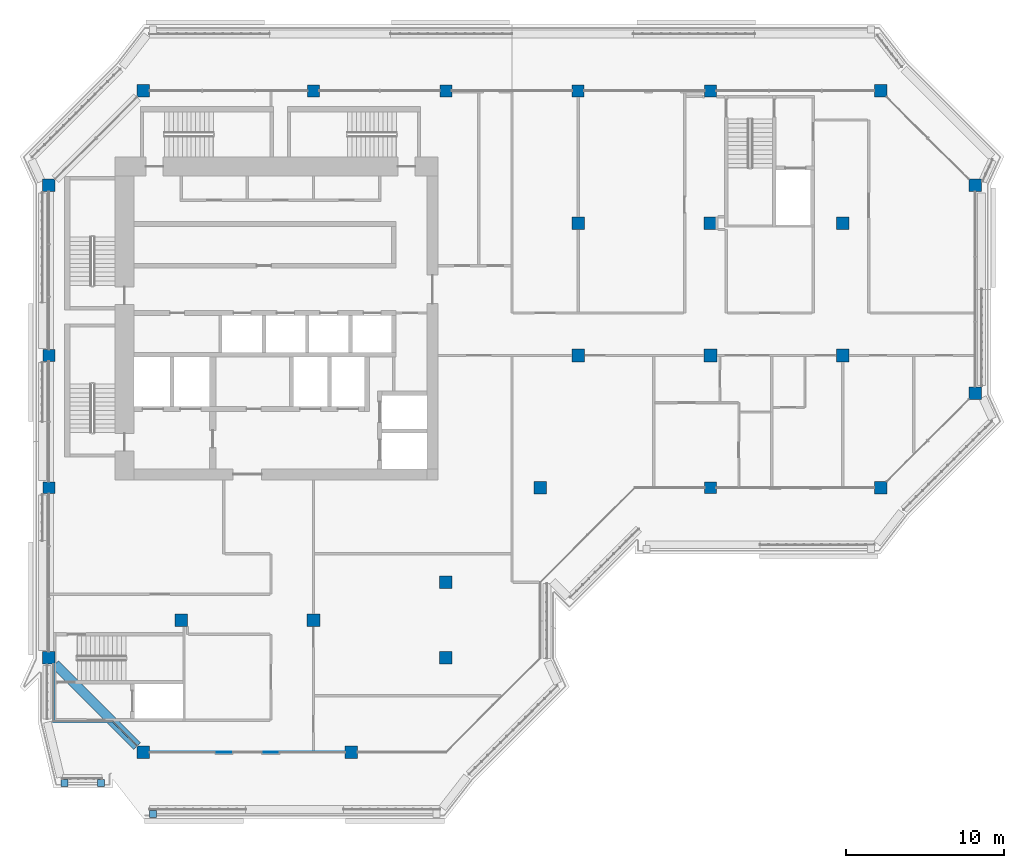
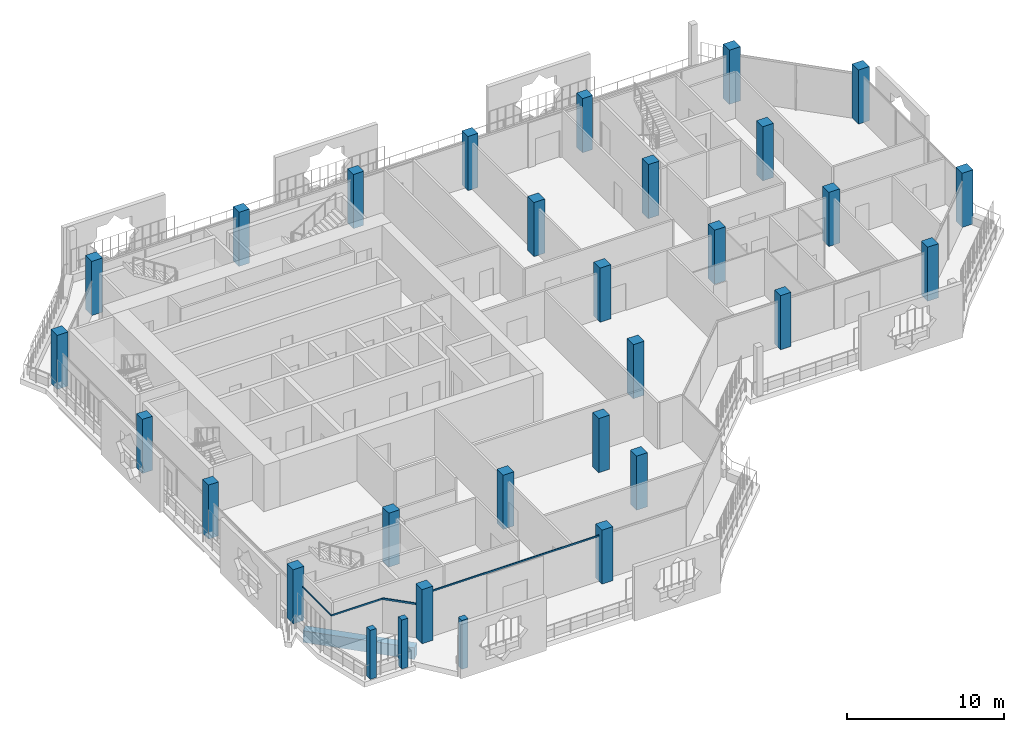
# One storey, part 1 of 21: 27 columns, 7 members, 1 beam, 5 elements without a shape of their own.
"""IFC4 building model written with IfcOpenShell, lengths in metres."""

from ifc_helpers import new_model, si_unit, direction, frame, origin, origin_2d, place, context, subcontext, project, spatial, rectangle, extrude, material, layer, layer_set, material_profile, profile_set, type_object, element, aggregate, save


model = new_model("IFC4")

# Units and contexts
model_context = context("Model", 3, precision=1e-05, world=origin(), true_north=direction((0.0, 1.0)))
body_context = subcontext(model_context, "Body", "Model", "MODEL_VIEW")
ifc_project = project(units=[si_unit("LENGTHUNIT", "METRE"), si_unit("AREAUNIT", "SQUARE_METRE"), si_unit("VOLUMEUNIT", "CUBIC_METRE"), si_unit("PLANEANGLEUNIT", "RADIAN"), si_unit("MASSUNIT", "GRAM", prefix="KILO")], contexts=[model_context])

# Site, building, storey
site_placement = place(None, origin())
site = spatial("IfcSite", under=ifc_project, at=site_placement, CompositionType="ELEMENT")
building_placement = place(site_placement, origin())
building = spatial("IfcBuilding", under=site, at=building_placement, Name="Kawkab Arch Medical Tower", CompositionType="ELEMENT")
storey_placement = place(building_placement, frame((0.0, 0.0, 315.39990234375)))
storey = spatial("IfcBuildingStorey", under=building, at=storey_placement, Name="L73", CompositionType="ELEMENT", Elevation=315.39990234375)

# Columns
ifc_material_1 = material(Name="Concrete C40/50", Category="concrete")
ifc_material_profile_1 = material_profile(ifc_material_1, rectangle(XDim=0.75, YDim=0.75, at=origin_2d()), Name="RC 750x750")
ifc_profile_set_1 = profile_set([ifc_material_profile_1], Name="Concrete C40/50")
column_type_1 = type_object("IfcColumnType", Name="RC 750x750 column C40/50", PredefinedType="COLUMN", material=ifc_profile_set_1)
for number, where, z_axis, x_axis, name in (
    (1, (16.800048828125, 0.0, 0.0), (0.0, 0.0, 1.0), (1.0, 0.0, 0.0), "Column RC 750x750"),
    (2, (25.199951171875, 0.0, 0.0), (0.0, 0.0, 1.0), (1.0, 0.0, 0.0), "Column RC 750x750"),
    (3, (33.60009765625, 0.0, 0.0), (0.0, 0.0, 1.0), (1.0, 0.0, 0.0), "Column RC 750x750"),
    (4, (42.0, 0.0, 0.0), (0.0, 0.0, 1.0), (1.0, 0.0, 0.0), "Column RC 750x750"),
    (5, (0.0, -16.800048828125, 0.0), (0.0, 0.0, 1.0), (1.0, 0.0, 0.0), "Column RC 750x750"),
    (6, (0.0, -25.199951171875, 0.0), (0.0, 0.0, 1.0), (1.0, 0.0, 0.0), "Column RC 750x750"),
    (7, (42.0, -25.199951171875, 0.0), (0.0, 0.0, 1.0), (1.0, 0.0, 0.0), "Column RC 750x750"),
):
    element("IfcColumn", number, at=place(storey_placement, frame(where, z_axis=z_axis, x_axis=x_axis)), inside=storey, type_object=column_type_1, Name=name, PredefinedType="COLUMN", context=body_context, shape_type="SweptSolid", body=[
        extrude(rectangle(XDim=0.75, YDim=0.75, at=origin_2d()), origin(), (0.0, 0.0, 1.0), 4.2001953125),
    ])
ifc_material_2 = material(Name="Concrete C40/50", Category="concrete")
ifc_material_profile_2 = material_profile(ifc_material_2, rectangle(XDim=0.800048828125, YDim=0.800048828125, at=origin_2d()), Name="RC 800x800")
ifc_profile_set_2 = profile_set([ifc_material_profile_2], Name="Concrete C40/50")
column_type_2 = type_object("IfcColumnType", Name="RC 800x800 column C40/50", PredefinedType="COLUMN", material=ifc_profile_set_2)
for number, where, z_axis, x_axis, name in (
    (8, (6.0, 0.0, 0.0), (0.0, 0.0, 1.0), (1.0, 0.0, 0.0), "Column RC 800x800"),
    (9, (52.800048828125, 0.0, 0.0), (0.0, 0.0, 1.0), (1.0, 0.0, 0.0), "Column RC 800x800"),
    (10, (0.0, -6.0, 0.0), (0.0, 0.0, 1.0), (1.0, 0.0, 0.0), "Column RC 800x800"),
    (11, (58.800048828125, -6.0, 0.0), (0.0, 0.0, 1.0), (1.0, 0.0, 0.0), "Column RC 800x800"),
    (12, (33.60009765625, -8.39990234375, 0.0), (0.0, 0.0, 1.0), (1.0, 0.0, 0.0), "Column RC 800x800"),
    (13, (42.0, -8.39990234375, 0.0), (0.0, 0.0, 1.0), (1.0, 0.0, 0.0), "Column RC 800x800"),
    (14, (50.39990234375, -8.39990234375, 0.0), (0.0, 0.0, 1.0), (1.0, 0.0, 0.0), "Column RC 800x800"),
    (15, (33.60009765625, -16.800048828125, 0.0), (0.0, 0.0, 1.0), (1.0, 0.0, 0.0), "Column RC 800x800"),
    (16, (42.0, -16.800048828125, 0.0), (0.0, 0.0, 1.0), (1.0, 0.0, 0.0), "Column RC 800x800"),
    (17, (50.39990234375, -16.800048828125, 0.0), (0.0, 0.0, 1.0), (1.0, 0.0, 0.0), "Column RC 800x800"),
    (18, (58.800048828125, -19.199951171875, 0.0), (0.0, 0.0, 1.0), (1.0, 0.0, 0.0), "Column RC 800x800"),
    (19, (31.199951171875, -25.199951171875, 0.0), (0.0, 0.0, 1.0), (1.0, 0.0, 0.0), "Column RC 800x800"),
    (20, (52.800048828125, -25.199951171875, 0.0), (0.0, 0.0, 1.0), (1.0, 0.0, 0.0), "Column RC 800x800"),
    (21, (25.199951171875, -31.199951171875, 0.0), (0.0, 0.0, 1.0), (1.0, 0.0, 0.0), "Column RC 800x800"),
    (22, (8.39990234375, -33.60009765625, 0.0), (0.0, 0.0, 1.0), (1.0, 0.0, 0.0), "Column RC 800x800"),
    (23, (16.800048828125, -33.60009765625, 0.0), (0.0, 0.0, 1.0), (1.0, 0.0, 0.0), "Column RC 800x800"),
    (24, (0.0, -36.0, 0.0), (0.0, 0.0, 1.0), (1.0, 0.0, 0.0), "Column RC 800x800"),
    (25, (25.199951171875, -36.0, 0.0), (0.0, 0.0, 1.0), (1.0, 0.0, 0.0), "Column RC 800x800"),
    (26, (6.0, -42.0, 0.0), (0.0, 0.0, 1.0), (1.0, 0.0, 0.0), "Column RC 800x800"),
    (27, (19.199951171875, -42.0, 0.0), (0.0, 0.0, 1.0), (1.0, 0.0, 0.0), "Column RC 800x800"),
):
    element("IfcColumn", number, at=place(storey_placement, frame(where, z_axis=z_axis, x_axis=x_axis)), inside=storey, type_object=column_type_2, Name=name, PredefinedType="COLUMN", context=body_context, shape_type="SweptSolid", body=[
        extrude(rectangle(XDim=0.800048828125, YDim=0.800048828125, at=origin_2d()), origin(), (0.0, 0.0, 1.0), 4.2001953125),
    ])

# Curtain wall, member
ifc_material_3 = material(Name="Bronze anodised aluminium curtain wall frame", Category="aluminium")
ifc_layer_1 = layer(ifc_material_3, 0.159912109375)
ifc_layer_set_1 = layer_set([ifc_layer_1], Name="Bronze anodised aluminium curtain wall frame")
curtain_wall_type_1 = type_object("IfcCurtainWallType", Name="CW1 ward curtain wall", PredefinedType="NOTDEFINED", material=ifc_layer_set_1)
placement = place(storey_placement, origin())
curtain_wall_1 = element("IfcCurtainWall", 28, at=placement, inside=storey, type_object=curtain_wall_type_1, Name="CW1 Ward curtain wall R04", PredefinedType="NOTDEFINED")
ifc_material_4 = material(Name="Bronze anodised aluminium curtain wall frame", Category="aluminium")
ifc_material_profile_3 = material_profile(ifc_material_4, rectangle(XDim=0.06005859375, YDim=0.1201171875, at=origin_2d()), Name="AL 60x120")
ifc_profile_set_3 = profile_set([ifc_material_profile_3], Name="Bronze anodised aluminium curtain wall frame")
member_type_1 = type_object("IfcMemberType", Name="CW1 transom 120 x 60", PredefinedType="USERDEFINED", material=ifc_profile_set_3)
member_1_placement = place(storey_placement, frame((0.300048828125, -36.39990234375, 2.64013671875), z_axis=(0.0, -1.0, 0.0), x_axis=(1.0, 0.0, 0.0)))
member_1 = element("IfcMember", 29, at=member_1_placement, type_object=member_type_1, Name="CW1 transom 1", ObjectType="TRANSOM", PredefinedType="USERDEFINED", context=body_context, shape_type="SweptSolid", body=[
    extrude(rectangle(XDim=0.06005859375, YDim=0.1201171875, at=origin_2d()), origin(), (0.0, 0.0, 1.0), 3.650146484375),
])
aggregate(curtain_wall_1, [member_1])

curtain_wall_2 = element("IfcCurtainWall", 30, at=placement, inside=storey, type_object=curtain_wall_type_1, Name="CW1 Ward curtain wall R05", PredefinedType="NOTDEFINED")
member_2_placement = place(storey_placement, frame((0.300048828125, -40.050048828125, 2.64013671875), z_axis=(1.0, 0.0, 0.0), x_axis=(0.0, 1.0, 0.0)))
member_2 = element("IfcMember", 31, at=member_2_placement, type_object=member_type_1, Name="CW1 transom 1", ObjectType="TRANSOM", PredefinedType="USERDEFINED", context=body_context, shape_type="SweptSolid", body=[
    extrude(rectangle(XDim=0.06005859375, YDim=0.1201171875, at=origin_2d()), origin(), (0.0, 0.0, 1.0), 3.75),
])
aggregate(curtain_wall_2, [member_2])

curtain_wall_3 = element("IfcCurtainWall", 32, at=placement, inside=storey, type_object=curtain_wall_type_1, Name="CW1 Ward curtain wall R07", PredefinedType="NOTDEFINED")
member_3_placement = place(storey_placement, frame((6.39990234375, -42.0, 3.5400390625), z_axis=(1.0, 0.0, 0.0), x_axis=(0.0, 1.0, 0.0)))
member_3 = element("IfcMember", 33, at=member_3_placement, type_object=member_type_1, Name="CW1 transom 1", ObjectType="TRANSOM", PredefinedType="USERDEFINED", context=body_context, shape_type="SweptSolid", body=[
    extrude(rectangle(XDim=0.06005859375, YDim=0.1201171875, at=origin_2d()), origin(), (0.0, 0.0, 1.0), 12.400146484375),
])
aggregate(curtain_wall_3, [member_3])

ifc_material_5 = material(Name="Bronze anodised aluminium curtain wall frame", Category="aluminium")
ifc_layer_2 = layer(ifc_material_5, 0.159912109375)
ifc_layer_set_2 = layer_set([ifc_layer_2], Name="Bronze anodised aluminium curtain wall frame")
curtain_wall_type_2 = type_object("IfcCurtainWallType", Name="CW2 chamfer curtain wall", PredefinedType="NOTDEFINED", material=ifc_layer_set_2)
curtain_wall_4 = element("IfcCurtainWall", 34, at=placement, inside=storey, type_object=curtain_wall_type_2, Name="CW2 Chamfer curtain wall R06", PredefinedType="NOTDEFINED")
ifc_material_6 = material(Name="Bronze anodised aluminium curtain wall frame", Category="aluminium")
ifc_material_profile_4 = material_profile(ifc_material_6, rectangle(XDim=0.06005859375, YDim=0.139892578125, at=origin_2d()), Name="AL 60x140")
ifc_profile_set_4 = profile_set([ifc_material_profile_4], Name="Bronze anodised aluminium curtain wall frame")
member_type_2 = type_object("IfcMemberType", Name="CW2 transom 140 x 60", PredefinedType="USERDEFINED", material=ifc_profile_set_4)
member_4_placement = place(storey_placement, frame((4.050048828125, -40.050048828125, 2.630126953125), z_axis=(0.707106781187, -0.707106781187, 0.0), x_axis=(0.707106781187, 0.707106781187, 0.0)))
member_4 = element("IfcMember", 35, at=member_4_placement, type_object=member_type_2, Name="CW2 transom 1", ObjectType="TRANSOM", PredefinedType="USERDEFINED", context=body_context, shape_type="SweptSolid", body=[
    extrude(rectangle(XDim=0.06005859375, YDim=0.139892578125, at=origin_2d()), origin(), (0.0, 0.0, 1.0), 2.192138671875),
])
aggregate(curtain_wall_4, [member_4])

# Curtain wall, members
ifc_material_7 = material(Name="Bronze anodised aluminium climber frame, planted", Category="aluminium")
ifc_layer_3 = layer(ifc_material_7, 0.449951171875)
ifc_layer_set_3 = layer_set([ifc_layer_3], Name="Bronze anodised aluminium climber frame, planted")
curtain_wall_type_3 = type_object("IfcCurtainWallType", Name="Planted climber frame", PredefinedType="NOTDEFINED", material=ifc_layer_set_3)
curtain_wall_5 = element("IfcCurtainWall", 36, at=placement, inside=storey, type_object=curtain_wall_type_3, Name="Planted climber frame L73", PredefinedType="NOTDEFINED")
ifc_material_8 = material(Name="Bronze anodised aluminium climber frame, planted", Category="aluminium")
ifc_material_profile_5 = material_profile(ifc_material_8, rectangle(XDim=0.449951171875, YDim=0.449951171875, at=origin_2d()), Name="Post 450x450")
ifc_profile_set_5 = profile_set([ifc_material_profile_5], Name="Bronze anodised aluminium climber frame, planted")
member_type_3 = type_object("IfcMemberType", Name="Planted climber post 450 x 450", PredefinedType="MULLION", material=ifc_profile_set_5)
member_5_placement = place(storey_placement, frame((3.300048828125, -43.949951171875, 0.0), z_axis=(0.0, 0.0, 1.0), x_axis=(1.0, 0.0, 0.0)))
member_5 = element("IfcMember", 37, at=member_5_placement, type_object=member_type_3, Name="Planted climber post L73.LOG-01-01.1", PredefinedType="MULLION", context=body_context, shape_type="SweptSolid", body=[
    extrude(rectangle(XDim=0.449951171875, YDim=0.449951171875, at=origin_2d()), origin(), (0.0, 0.0, 1.0), 3.800048828125),
])
member_6_placement = place(storey_placement, frame((0.987060546875, -43.949951171875, 0.0), z_axis=(0.0, 0.0, 1.0), x_axis=(1.0, 0.0, 0.0)))
member_6 = element("IfcMember", 38, at=member_6_placement, type_object=member_type_3, Name="Planted climber post L73.LOG-01-01.2", PredefinedType="MULLION", context=body_context, shape_type="SweptSolid", body=[
    extrude(rectangle(XDim=0.449951171875, YDim=0.449951171875, at=origin_2d()), origin(), (0.0, 0.0, 1.0), 3.800048828125),
])
member_7_placement = place(storey_placement, frame((6.596923828125, -45.89990234375, 0.0), z_axis=(0.0, 0.0, 1.0), x_axis=(1.0, 0.0, 0.0)))
member_7 = element("IfcMember", 39, at=member_7_placement, type_object=member_type_3, Name="Planted climber post L73.LOG-01-01.8", PredefinedType="MULLION", context=body_context, shape_type="SweptSolid", body=[
    extrude(rectangle(XDim=0.449951171875, YDim=0.449951171875, at=origin_2d()), origin(), (0.0, 0.0, 1.0), 3.800048828125),
])
aggregate(curtain_wall_5, [member_5, member_6, member_7])

# Beam
ifc_material_9 = material(Name="Concrete C40/50", Category="concrete")
ifc_material_profile_6 = material_profile(ifc_material_9, rectangle(XDim=0.60009765625, YDim=0.89990234375, at=origin_2d()), Name="RC 600x900")
ifc_profile_set_6 = profile_set([ifc_material_profile_6], Name="Concrete C40/50")
beam_type = type_object("IfcBeamType", Name="RC 600x900 beam C40/50", PredefinedType="BEAM", material=ifc_profile_set_6)
beam_placement = place(storey_placement, frame((5.60009765625, -41.60009765625, -1.0498046875), z_axis=(-0.707106781187, 0.707106781187, 0.0), x_axis=(-0.707106781187, -0.707106781187, 0.0)))
element("IfcBeam", 40, at=beam_placement, inside=storey, type_object=beam_type, Name="Overhang edge beam L73-02", PredefinedType="BEAM", context=body_context, shape_type="SweptSolid", body=[
    extrude(rectangle(XDim=0.60009765625, YDim=0.89990234375, at=origin_2d()), origin(), (0.0, 0.0, 1.0), 7.354248046875),
])

save(model, "model.ifc")
